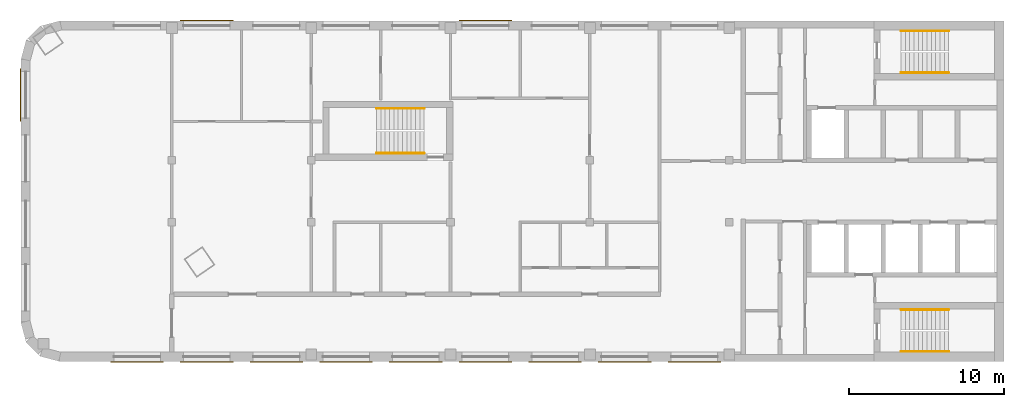
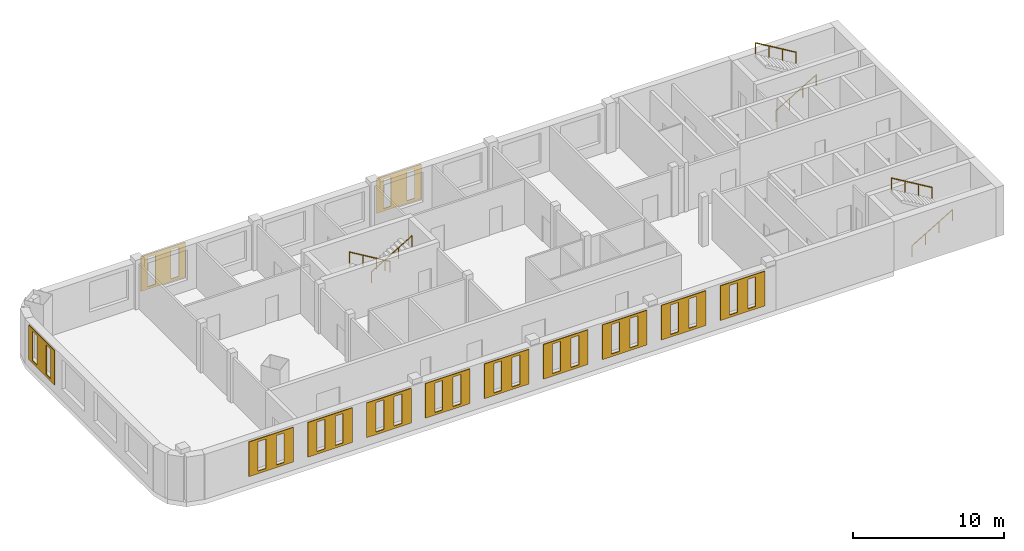
# One storey, part 6 of 6: 12 coverings, 6 railings.
"""IFC4 building model written with IfcOpenShell, lengths in metres."""

from ifc_helpers import new_model, si_unit, direction, frame, origin, origin_2d, place, context, subcontext, project, spatial, polyline, circle, outline, extrude, material, material_profile, profile_set, type_object, element, save


model = new_model("IFC4")

# Units and contexts
model_context = context("Model", 3, precision=1e-05, world=origin(), true_north=direction((0.0, 1.0)))
body_context = subcontext(model_context, "Body", "Model", "MODEL_VIEW")
ifc_project = project(units=[si_unit("LENGTHUNIT", "METRE"), si_unit("AREAUNIT", "SQUARE_METRE"), si_unit("VOLUMEUNIT", "CUBIC_METRE"), si_unit("PLANEANGLEUNIT", "RADIAN"), si_unit("MASSUNIT", "GRAM", prefix="KILO")], contexts=[model_context])

# Site, building, storey
site_placement = place(None, origin())
site = spatial("IfcSite", under=ifc_project, at=site_placement, CompositionType="ELEMENT")
building_placement = place(site_placement, origin())
building = spatial("IfcBuilding", under=site, at=building_placement, Name="Skarvind Civic Tower", CompositionType="ELEMENT")
storey_placement = place(building_placement, frame((0.0, 0.0, 249.5)))
storey = spatial("IfcBuildingStorey", under=building, at=storey_placement, Name="L59", CompositionType="ELEMENT", Elevation=249.5)

# Railings
ifc_material_1 = material(Name="Painted steel handrail", Category="steel")
railing_type = type_object("IfcRailingType", Name="Stair handrail 900", PredefinedType="HANDRAIL", material=ifc_material_1)
railing_1_placement = place(storey_placement, frame((101.35009765625, 135.64990234375, 0.166748046875)))
element("IfcRailing", 1, at=railing_1_placement, inside=storey, type_object=railing_type, Name="Stair handrail", PredefinedType="HANDRAIL", context=body_context, shape_type="SweptSolid", body=[
    extrude(circle(Radius=0.02392578125, at=origin_2d()), frame((0.0, 0.0, 0.8759765625), z_axis=(0.859290745958, 0.0, 0.51148745235), x_axis=(0.0, 1.0, 0.0)), (0.0, 0.0, 1.0), 3.584228515625),
    extrude(circle(Radius=0.02099609375, at=origin_2d()), origin(), (0.0, 0.0, 1.0), 0.851806640625),
    extrude(circle(Radius=0.02099609375, at=origin_2d()), frame((1.026611328125, 0.0, 0.611083984375)), (0.0, 0.0, 1.0), 0.851806640625),
    extrude(circle(Radius=0.02099609375, at=origin_2d()), frame((2.05322265625, 0.0, 1.22216796875)), (0.0, 0.0, 1.0), 0.851806640625),
    extrude(circle(Radius=0.02099609375, at=origin_2d()), frame((3.079833984375, 0.0, 1.833251953125)), (0.0, 0.0, 1.0), 0.851806640625),
])
railing_2_placement = place(storey_placement, frame((104.429931640625, 138.35009765625, 2.166748046875)))
element("IfcRailing", 2, at=railing_2_placement, inside=storey, type_object=railing_type, Name="Stair handrail", PredefinedType="HANDRAIL", context=body_context, shape_type="SweptSolid", body=[
    extrude(circle(Radius=0.02392578125, at=origin_2d()), frame((0.0, 0.0, 0.8759765625), z_axis=(-0.859290745958, 0.0, 0.51148745235), x_axis=(0.0, -1.0, 0.0)), (0.0, 0.0, 1.0), 3.584228515625),
    extrude(circle(Radius=0.02099609375, at=origin_2d()), origin(), (0.0, 0.0, 1.0), 0.851806640625),
    extrude(circle(Radius=0.02099609375, at=origin_2d()), frame((-1.026611328125, 0.0, 0.611083984375)), (0.0, 0.0, 1.0), 0.851806640625),
    extrude(circle(Radius=0.02099609375, at=origin_2d()), frame((-2.05322265625, 0.0, 1.22216796875)), (0.0, 0.0, 1.0), 0.851806640625),
    extrude(circle(Radius=0.02099609375, at=origin_2d()), frame((-3.079833984375, 0.0, 1.833251953125)), (0.0, 0.0, 1.0), 0.851806640625),
])
railing_3_placement = place(storey_placement, frame((101.35009765625, 117.64990234375, 0.166748046875)))
element("IfcRailing", 3, at=railing_3_placement, inside=storey, type_object=railing_type, Name="Stair handrail", PredefinedType="HANDRAIL", context=body_context, shape_type="SweptSolid", body=[
    extrude(circle(Radius=0.02392578125, at=origin_2d()), frame((0.0, 0.0, 0.8759765625), z_axis=(0.859290745958, 0.0, 0.51148745235), x_axis=(0.0, 1.0, 0.0)), (0.0, 0.0, 1.0), 3.584228515625),
    extrude(circle(Radius=0.02099609375, at=origin_2d()), origin(), (0.0, 0.0, 1.0), 0.851806640625),
    extrude(circle(Radius=0.02099609375, at=origin_2d()), frame((1.026611328125, 0.0, 0.611083984375)), (0.0, 0.0, 1.0), 0.851806640625),
    extrude(circle(Radius=0.02099609375, at=origin_2d()), frame((2.05322265625, 0.0, 1.22216796875)), (0.0, 0.0, 1.0), 0.851806640625),
    extrude(circle(Radius=0.02099609375, at=origin_2d()), frame((3.079833984375, 0.0, 1.833251953125)), (0.0, 0.0, 1.0), 0.851806640625),
])
railing_4_placement = place(storey_placement, frame((104.429931640625, 120.35009765625, 2.166748046875)))
element("IfcRailing", 4, at=railing_4_placement, inside=storey, type_object=railing_type, Name="Stair handrail", PredefinedType="HANDRAIL", context=body_context, shape_type="SweptSolid", body=[
    extrude(circle(Radius=0.02392578125, at=origin_2d()), frame((0.0, 0.0, 0.8759765625), z_axis=(-0.859290745958, 0.0, 0.51148745235), x_axis=(0.0, -1.0, 0.0)), (0.0, 0.0, 1.0), 3.584228515625),
    extrude(circle(Radius=0.02099609375, at=origin_2d()), origin(), (0.0, 0.0, 1.0), 0.851806640625),
    extrude(circle(Radius=0.02099609375, at=origin_2d()), frame((-1.026611328125, 0.0, 0.611083984375)), (0.0, 0.0, 1.0), 0.851806640625),
    extrude(circle(Radius=0.02099609375, at=origin_2d()), frame((-2.05322265625, 0.0, 1.22216796875)), (0.0, 0.0, 1.0), 0.851806640625),
    extrude(circle(Radius=0.02099609375, at=origin_2d()), frame((-3.079833984375, 0.0, 1.833251953125)), (0.0, 0.0, 1.0), 0.851806640625),
])
railing_5_placement = place(storey_placement, frame((70.550048828125, 133.35009765625, 0.166748046875)))
element("IfcRailing", 5, at=railing_5_placement, inside=storey, type_object=railing_type, Name="Stair handrail", PredefinedType="HANDRAIL", context=body_context, shape_type="SweptSolid", body=[
    extrude(circle(Radius=0.02392578125, at=origin_2d()), frame((0.0, 0.0, 0.8759765625), z_axis=(-0.859308565015, 0.0, 0.511457515432), x_axis=(0.0, -1.0, 0.0)), (0.0, 0.0, 1.0), 3.58447265625),
    extrude(circle(Radius=0.02099609375, at=origin_2d()), origin(), (0.0, 0.0, 1.0), 0.851806640625),
    extrude(circle(Radius=0.02099609375, at=origin_2d()), frame((-1.026611328125, 0.0, 0.611083984375)), (0.0, 0.0, 1.0), 0.851806640625),
    extrude(circle(Radius=0.02099609375, at=origin_2d()), frame((-2.053466796875, 0.0, 1.22216796875)), (0.0, 0.0, 1.0), 0.851806640625),
    extrude(circle(Radius=0.02099609375, at=origin_2d()), frame((-3.080078125, 0.0, 1.833251953125)), (0.0, 0.0, 1.0), 0.851806640625),
])
railing_6_placement = place(storey_placement, frame((67.469970703125, 130.449951171875, 2.166748046875)))
element("IfcRailing", 6, at=railing_6_placement, inside=storey, type_object=railing_type, Name="Stair handrail", PredefinedType="HANDRAIL", context=body_context, shape_type="SweptSolid", body=[
    extrude(circle(Radius=0.02392578125, at=origin_2d()), frame((0.0, 0.0, 0.8759765625), z_axis=(0.859308565015, 0.0, 0.511457515432), x_axis=(0.0, 1.0, 0.0)), (0.0, 0.0, 1.0), 3.58447265625),
    extrude(circle(Radius=0.02099609375, at=origin_2d()), origin(), (0.0, 0.0, 1.0), 0.851806640625),
    extrude(circle(Radius=0.02099609375, at=origin_2d()), frame((1.026611328125, 0.0, 0.611083984375)), (0.0, 0.0, 1.0), 0.851806640625),
    extrude(circle(Radius=0.02099609375, at=origin_2d()), frame((2.053466796875, 0.0, 1.22216796875)), (0.0, 0.0, 1.0), 0.851806640625),
    extrude(circle(Radius=0.02099609375, at=origin_2d()), frame((3.080078125, 0.0, 1.833251953125)), (0.0, 0.0, 1.0), 0.851806640625),
])

# Coverings
ifc_material_2 = material(Name="Terracotta", Category="masonry")
ifc_material_profile_1 = material_profile(ifc_material_2, outline(polyline([(-1.699951171875, -1.39990234375), (1.699951171875, -1.39990234375), (1.699951171875, 1.39990234375), (-1.699951171875, 1.39990234375), (-1.699951171875, -1.39990234375)]), holes=[polyline([(-1.0, -1.18994140625), (-0.39990234375, -1.18994140625), (-0.39990234375, 1.18994140625), (-1.0, 1.18994140625), (-1.0, -1.18994140625)]), polyline([(0.39990234375, -1.18994140625), (1.0, -1.18994140625), (1.0, 1.18994140625), (0.39990234375, 1.18994140625), (0.39990234375, -1.18994140625)])]), Name="TERRACOTTA SCREEN 3400 x 2800, SLIT PITCH 1400")
ifc_profile_set_1 = profile_set([ifc_material_profile_1], Name="Terracotta")
covering_type_1 = type_object("IfcCoveringType", Name="TERRACOTTA SCREEN 3400 x 2800, SLIT PITCH 1400", PredefinedType="CLADDING", material=ifc_profile_set_1)
for number, where, z_axis, x_axis, name in (
    (7, (88.0, 117.0, 2.10009765625), (0.0, -1.0, 0.0), (1.0, 0.0, 0.0), "TERRACOTTA SCREEN"),
    (8, (83.5, 117.0, 2.10009765625), (0.0, -1.0, 0.0), (1.0, 0.0, 0.0), "TERRACOTTA SCREEN"),
    (9, (79.0, 117.0, 2.10009765625), (0.0, -1.0, 0.0), (1.0, 0.0, 0.0), "TERRACOTTA SCREEN"),
    (10, (74.5, 117.0, 2.10009765625), (0.0, -1.0, 0.0), (1.0, 0.0, 0.0), "TERRACOTTA SCREEN"),
    (11, (70.0, 117.0, 2.10009765625), (0.0, -1.0, 0.0), (1.0, 0.0, 0.0), "TERRACOTTA SCREEN"),
    (12, (65.5, 117.0, 2.10009765625), (0.0, -1.0, 0.0), (1.0, 0.0, 0.0), "TERRACOTTA SCREEN"),
    (13, (61.0, 117.0, 2.10009765625), (0.0, -1.0, 0.0), (1.0, 0.0, 0.0), "TERRACOTTA SCREEN"),
    (14, (56.5, 117.0, 2.10009765625), (0.0, -1.0, 0.0), (1.0, 0.0, 0.0), "TERRACOTTA SCREEN"),
    (15, (52.0, 117.0, 2.10009765625), (0.0, -1.0, 0.0), (1.0, 0.0, 0.0), "TERRACOTTA SCREEN"),
):
    element("IfcCovering", number, at=place(storey_placement, frame(where, z_axis=z_axis, x_axis=x_axis)), inside=storey, type_object=covering_type_1, Name=name, PredefinedType="CLADDING", context=body_context, shape_type="SweptSolid", body=[
        extrude(outline(polyline([(-1.699951171875, -1.39990234375), (1.699951171875, -1.39990234375), (1.699951171875, 1.39990234375), (-1.699951171875, 1.39990234375), (-1.699951171875, -1.39990234375)]), holes=[polyline([(-1.0, -1.18994140625), (-0.39990234375, -1.18994140625), (-0.39990234375, 1.18994140625), (-1.0, 1.18994140625), (-1.0, -1.18994140625)]), polyline([(0.39990234375, -1.18994140625), (1.0, -1.18994140625), (1.0, 1.18994140625), (0.39990234375, 1.18994140625), (0.39990234375, -1.18994140625)])]), origin(), (0.0, 0.0, 1.0), 0.06005859375),
    ])
ifc_material_profile_2 = material_profile(ifc_material_2, outline(polyline([(-1.699951171875, -1.39990234375), (1.699951171875, -1.39990234375), (1.699951171875, 1.39990234375), (-1.699951171875, 1.39990234375), (-1.699951171875, -1.39990234375)]), holes=[polyline([(-1.199951171875, -1.18994140625), (-0.60009765625, -1.18994140625), (-0.60009765625, 1.18994140625), (-1.199951171875, 1.18994140625), (-1.199951171875, -1.18994140625)]), polyline([(0.60009765625, -1.18994140625), (1.199951171875, -1.18994140625), (1.199951171875, 1.18994140625), (0.60009765625, 1.18994140625), (0.60009765625, -1.18994140625)])]), Name="TERRACOTTA SCREEN 3400 x 2800, SLIT PITCH 1800")
ifc_profile_set_2 = profile_set([ifc_material_profile_2], Name="Terracotta")
covering_type_2 = type_object("IfcCoveringType", Name="TERRACOTTA SCREEN 3400 x 2800, SLIT PITCH 1800", PredefinedType="CLADDING", material=ifc_profile_set_2)
for number, where, z_axis, x_axis, name in (
    (16, (56.5, 139.0, 2.10009765625), (0.0, 1.0, 0.0), (-1.0, 0.0, 0.0), "TERRACOTTA SCREEN"),
    (17, (74.5, 139.0, 2.10009765625), (0.0, 1.0, 0.0), (-1.0, 0.0, 0.0), "TERRACOTTA SCREEN"),
    (18, (44.5, 134.22509765625, 2.10009765625), (-1.0, 0.0, 0.0), (0.0, -1.0, 0.0), "TERRACOTTA SCREEN"),
):
    element("IfcCovering", number, at=place(storey_placement, frame(where, z_axis=z_axis, x_axis=x_axis)), inside=storey, type_object=covering_type_2, Name=name, PredefinedType="CLADDING", context=body_context, shape_type="SweptSolid", body=[
        extrude(outline(polyline([(-1.699951171875, -1.39990234375), (1.699951171875, -1.39990234375), (1.699951171875, 1.39990234375), (-1.699951171875, 1.39990234375), (-1.699951171875, -1.39990234375)]), holes=[polyline([(-1.199951171875, -1.18994140625), (-0.60009765625, -1.18994140625), (-0.60009765625, 1.18994140625), (-1.199951171875, 1.18994140625), (-1.199951171875, -1.18994140625)]), polyline([(0.60009765625, -1.18994140625), (1.199951171875, -1.18994140625), (1.199951171875, 1.18994140625), (0.60009765625, 1.18994140625), (0.60009765625, -1.18994140625)])]), origin(), (0.0, 0.0, 1.0), 0.06005859375),
    ])

save(model, "model.ifc")
